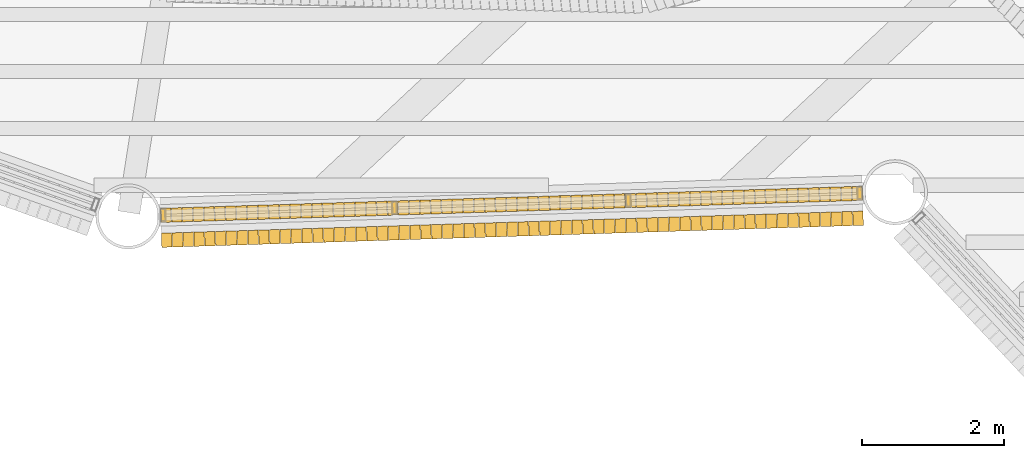
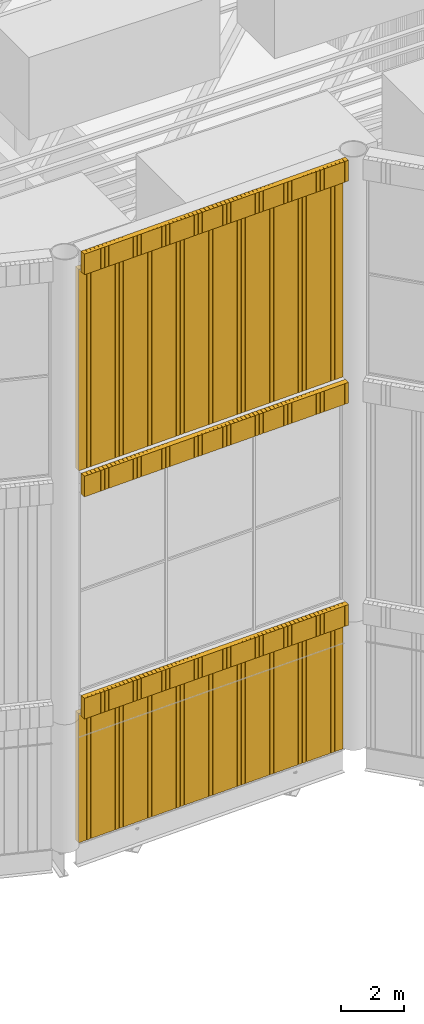
# One storey, part 93 of 117: 5 coverings.
"""IFC4 building model written with IfcOpenShell, lengths in metres."""

from ifc_helpers import new_model, si_unit, direction, frame, frame_2d, origin, place, context, subcontext, project, spatial, rectangle, composite_profile, extrude, material, type_object, element, save


model = new_model("IFC4")

# Units and contexts
model_context = context("Model", 3, precision=1e-05, world=origin(), true_north=direction((0.0, 1.0)))
body_context = subcontext(model_context, "Body", "Model", "MODEL_VIEW")
ifc_project = project(units=[si_unit("LENGTHUNIT", "METRE"), si_unit("AREAUNIT", "SQUARE_METRE"), si_unit("VOLUMEUNIT", "CUBIC_METRE"), si_unit("PLANEANGLEUNIT", "RADIAN"), si_unit("MASSUNIT", "GRAM", prefix="KILO")], contexts=[model_context])

# Site, building, storey
site_placement = place(None, origin())
site = spatial("IfcSite", under=ifc_project, at=site_placement, CompositionType="ELEMENT")
building_placement = place(site_placement, origin())
building = spatial("IfcBuilding", under=site, at=building_placement, Name="Tarsis Ring Headquarters", CompositionType="ELEMENT")
storey_placement = place(building_placement, frame((0.0, 0.0, 403.60009765625)))
storey = spatial("IfcBuildingStorey", under=building, at=storey_placement, Name="L95", CompositionType="ELEMENT", Elevation=403.60009765625)

# Coverings
ifc_material = material(Name="Terracotta louvre", Category="masonry")
covering_type = type_object("IfcCoveringType", Name="Crown louvre fin", PredefinedType="CLADDING", material=ifc_material)
covering_1_placement = place(storey_placement, frame((-4.02734375, -28.68603515625, 0.0), z_axis=(0.0, 0.0, 1.0), x_axis=(0.999504668499, 0.031503083439, 0.0)))
element("IfcCovering", 1, at=covering_1_placement, inside=storey, type_object=covering_type, Name="Crown louvre base 1", PredefinedType="CLADDING", context=body_context, shape_type="SweptSolid", body=[
    extrude(composite_profile([rectangle(XDim=0.14501953125, YDim=0.199951171875, at=frame_2d((0.072509765625, 0.0))), rectangle(XDim=0.14501953125, YDim=0.199951171875, at=frame_2d((0.224365234375, 0.0))), rectangle(XDim=0.14501953125, YDim=0.199951171875, at=frame_2d((0.3759765625, 0.0))), rectangle(XDim=0.14501953125, YDim=0.199951171875, at=frame_2d((0.52783203125, 0.0))), rectangle(XDim=0.14501953125, YDim=0.199951171875, at=frame_2d((0.679443359375, 0.0))), rectangle(XDim=0.14501953125, YDim=0.199951171875, at=frame_2d((0.831298828125, 0.0))), rectangle(XDim=0.14501953125, YDim=0.199951171875, at=frame_2d((0.983154296875, 0.0))), rectangle(XDim=0.14501953125, YDim=0.199951171875, at=frame_2d((1.134765625, 0.0))), rectangle(XDim=0.14501953125, YDim=0.199951171875, at=frame_2d((1.28662109375, 0.0))), rectangle(XDim=0.14501953125, YDim=0.199951171875, at=frame_2d((1.438232421875, 0.0))), rectangle(XDim=0.14501953125, YDim=0.199951171875, at=frame_2d((1.590087890625, 0.0))), rectangle(XDim=0.14501953125, YDim=0.199951171875, at=frame_2d((1.741943359375, 0.0))), rectangle(XDim=0.14501953125, YDim=0.199951171875, at=frame_2d((1.8935546875, 0.0))), rectangle(XDim=0.14501953125, YDim=0.199951171875, at=frame_2d((2.04541015625, 0.0))), rectangle(XDim=0.14501953125, YDim=0.199951171875, at=frame_2d((2.197265625, 0.0))), rectangle(XDim=0.14501953125, YDim=0.199951171875, at=frame_2d((2.348876953125, 0.0))), rectangle(XDim=0.14501953125, YDim=0.199951171875, at=frame_2d((2.500732421875, 0.0))), rectangle(XDim=0.14501953125, YDim=0.199951171875, at=frame_2d((2.65234375, 0.0))), rectangle(XDim=0.14501953125, YDim=0.199951171875, at=frame_2d((2.80419921875, 0.0))), rectangle(XDim=0.14501953125, YDim=0.199951171875, at=frame_2d((2.9560546875, 0.0))), rectangle(XDim=0.14501953125, YDim=0.199951171875, at=frame_2d((3.107666015625, 0.0))), rectangle(XDim=0.14501953125, YDim=0.199951171875, at=frame_2d((3.259521484375, 0.0))), rectangle(XDim=0.14501953125, YDim=0.199951171875, at=frame_2d((3.4111328125, 0.0))), rectangle(XDim=0.14501953125, YDim=0.199951171875, at=frame_2d((3.56298828125, 0.0))), rectangle(XDim=0.14501953125, YDim=0.199951171875, at=frame_2d((3.71484375, 0.0))), rectangle(XDim=0.14501953125, YDim=0.199951171875, at=frame_2d((3.866455078125, 0.0))), rectangle(XDim=0.14501953125, YDim=0.199951171875, at=frame_2d((4.018310546875, 0.0))), rectangle(XDim=0.14501953125, YDim=0.199951171875, at=frame_2d((4.169921875, 0.0))), rectangle(XDim=0.14501953125, YDim=0.199951171875, at=frame_2d((4.32177734375, 0.0))), rectangle(XDim=0.14501953125, YDim=0.199951171875, at=frame_2d((4.4736328125, 0.0))), rectangle(XDim=0.14501953125, YDim=0.199951171875, at=frame_2d((4.625244140625, 0.0))), rectangle(XDim=0.14501953125, YDim=0.199951171875, at=frame_2d((4.777099609375, 0.0))), rectangle(XDim=0.14501953125, YDim=0.199951171875, at=frame_2d((4.9287109375, 0.0))), rectangle(XDim=0.14501953125, YDim=0.199951171875, at=frame_2d((5.08056640625, 0.0))), rectangle(XDim=0.14501953125, YDim=0.199951171875, at=frame_2d((5.232421875, 0.0))), rectangle(XDim=0.14501953125, YDim=0.199951171875, at=frame_2d((5.384033203125, 0.0))), rectangle(XDim=0.14501953125, YDim=0.199951171875, at=frame_2d((5.535888671875, 0.0))), rectangle(XDim=0.14501953125, YDim=0.199951171875, at=frame_2d((5.687744140625, 0.0))), rectangle(XDim=0.14501953125, YDim=0.199951171875, at=frame_2d((5.83935546875, 0.0))), rectangle(XDim=0.14501953125, YDim=0.199951171875, at=frame_2d((5.9912109375, 0.0))), rectangle(XDim=0.14501953125, YDim=0.199951171875, at=frame_2d((6.142822265625, 0.0))), rectangle(XDim=0.14501953125, YDim=0.199951171875, at=frame_2d((6.294677734375, 0.0))), rectangle(XDim=0.14501953125, YDim=0.199951171875, at=frame_2d((6.446533203125, 0.0))), rectangle(XDim=0.14501953125, YDim=0.199951171875, at=frame_2d((6.59814453125, 0.0))), rectangle(XDim=0.14501953125, YDim=0.199951171875, at=frame_2d((6.75, 0.0))), rectangle(XDim=0.14501953125, YDim=0.199951171875, at=frame_2d((6.901611328125, 0.0))), rectangle(XDim=0.14501953125, YDim=0.199951171875, at=frame_2d((7.053466796875, 0.0))), rectangle(XDim=0.14501953125, YDim=0.199951171875, at=frame_2d((7.205322265625, 0.0))), rectangle(XDim=0.14501953125, YDim=0.199951171875, at=frame_2d((7.35693359375, 0.0))), rectangle(XDim=0.14501953125, YDim=0.199951171875, at=frame_2d((7.5087890625, 0.0))), rectangle(XDim=0.14501953125, YDim=0.199951171875, at=frame_2d((7.660400390625, 0.0))), rectangle(XDim=0.14501953125, YDim=0.199951171875, at=frame_2d((7.812255859375, 0.0))), rectangle(XDim=0.14501953125, YDim=0.199951171875, at=frame_2d((7.964111328125, 0.0))), rectangle(XDim=0.14501953125, YDim=0.199951171875, at=frame_2d((8.11572265625, 0.0))), rectangle(XDim=0.14501953125, YDim=0.199951171875, at=frame_2d((8.267578125, 0.0))), rectangle(XDim=0.14501953125, YDim=0.199951171875, at=frame_2d((8.41943359375, 0.0))), rectangle(XDim=0.14501953125, YDim=0.199951171875, at=frame_2d((8.571044921875, 0.0))), rectangle(XDim=0.14501953125, YDim=0.199951171875, at=frame_2d((8.722900390625, 0.0))), rectangle(XDim=0.14501953125, YDim=0.199951171875, at=frame_2d((8.87451171875, 0.0))), rectangle(XDim=0.14501953125, YDim=0.199951171875, at=frame_2d((9.0263671875, 0.0))), rectangle(XDim=0.14501953125, YDim=0.199951171875, at=frame_2d((9.17822265625, 0.0))), rectangle(XDim=0.14501953125, YDim=0.199951171875, at=frame_2d((9.329833984375, 0.0))), rectangle(XDim=0.14501953125, YDim=0.199951171875, at=frame_2d((9.481689453125, 0.0))), rectangle(XDim=0.14501953125, YDim=0.199951171875, at=frame_2d((9.63330078125, 0.0))), rectangle(XDim=0.14501953125, YDim=0.199951171875, at=frame_2d((9.78515625, 0.0)))]), origin(), (0.0, 0.0, 1.0), 5.0),
])
covering_2_placement = place(storey_placement, frame((-4.016357421875, -29.03564453125, 5.0), z_axis=(0.0, 0.0, 1.0), x_axis=(0.999504668499, 0.031478316864, 0.0)))
element("IfcCovering", 2, at=covering_2_placement, inside=storey, type_object=covering_type, Name="Crown louvre fascia R1", PredefinedType="CLADDING", context=body_context, shape_type="SweptSolid", body=[
    extrude(composite_profile([rectangle(XDim=0.14501953125, YDim=0.199951171875, at=frame_2d((0.072509765625, 0.0))), rectangle(XDim=0.14501953125, YDim=0.199951171875, at=frame_2d((0.224365234375, 0.0))), rectangle(XDim=0.14501953125, YDim=0.199951171875, at=frame_2d((0.3759765625, 0.0))), rectangle(XDim=0.14501953125, YDim=0.199951171875, at=frame_2d((0.52783203125, 0.0))), rectangle(XDim=0.14501953125, YDim=0.199951171875, at=frame_2d((0.679443359375, 0.0))), rectangle(XDim=0.14501953125, YDim=0.199951171875, at=frame_2d((0.831298828125, 0.0))), rectangle(XDim=0.14501953125, YDim=0.199951171875, at=frame_2d((0.983154296875, 0.0))), rectangle(XDim=0.14501953125, YDim=0.199951171875, at=frame_2d((1.134765625, 0.0))), rectangle(XDim=0.14501953125, YDim=0.199951171875, at=frame_2d((1.28662109375, 0.0))), rectangle(XDim=0.14501953125, YDim=0.199951171875, at=frame_2d((1.438232421875, 0.0))), rectangle(XDim=0.14501953125, YDim=0.199951171875, at=frame_2d((1.590087890625, 0.0))), rectangle(XDim=0.14501953125, YDim=0.199951171875, at=frame_2d((1.741943359375, 0.0))), rectangle(XDim=0.14501953125, YDim=0.199951171875, at=frame_2d((1.8935546875, 0.0))), rectangle(XDim=0.14501953125, YDim=0.199951171875, at=frame_2d((2.04541015625, 0.0))), rectangle(XDim=0.14501953125, YDim=0.199951171875, at=frame_2d((2.197265625, 0.0))), rectangle(XDim=0.14501953125, YDim=0.199951171875, at=frame_2d((2.348876953125, 0.0))), rectangle(XDim=0.14501953125, YDim=0.199951171875, at=frame_2d((2.500732421875, 0.0))), rectangle(XDim=0.14501953125, YDim=0.199951171875, at=frame_2d((2.65234375, 0.0))), rectangle(XDim=0.14501953125, YDim=0.199951171875, at=frame_2d((2.80419921875, 0.0))), rectangle(XDim=0.14501953125, YDim=0.199951171875, at=frame_2d((2.9560546875, 0.0))), rectangle(XDim=0.14501953125, YDim=0.199951171875, at=frame_2d((3.107666015625, 0.0))), rectangle(XDim=0.14501953125, YDim=0.199951171875, at=frame_2d((3.259521484375, 0.0))), rectangle(XDim=0.14501953125, YDim=0.199951171875, at=frame_2d((3.4111328125, 0.0))), rectangle(XDim=0.14501953125, YDim=0.199951171875, at=frame_2d((3.56298828125, 0.0))), rectangle(XDim=0.14501953125, YDim=0.199951171875, at=frame_2d((3.71484375, 0.0))), rectangle(XDim=0.14501953125, YDim=0.199951171875, at=frame_2d((3.866455078125, 0.0))), rectangle(XDim=0.14501953125, YDim=0.199951171875, at=frame_2d((4.018310546875, 0.0))), rectangle(XDim=0.14501953125, YDim=0.199951171875, at=frame_2d((4.169921875, 0.0))), rectangle(XDim=0.14501953125, YDim=0.199951171875, at=frame_2d((4.32177734375, 0.0))), rectangle(XDim=0.14501953125, YDim=0.199951171875, at=frame_2d((4.4736328125, 0.0))), rectangle(XDim=0.14501953125, YDim=0.199951171875, at=frame_2d((4.625244140625, 0.0))), rectangle(XDim=0.14501953125, YDim=0.199951171875, at=frame_2d((4.777099609375, 0.0))), rectangle(XDim=0.14501953125, YDim=0.199951171875, at=frame_2d((4.9287109375, 0.0))), rectangle(XDim=0.14501953125, YDim=0.199951171875, at=frame_2d((5.08056640625, 0.0))), rectangle(XDim=0.14501953125, YDim=0.199951171875, at=frame_2d((5.232421875, 0.0))), rectangle(XDim=0.14501953125, YDim=0.199951171875, at=frame_2d((5.384033203125, 0.0))), rectangle(XDim=0.14501953125, YDim=0.199951171875, at=frame_2d((5.535888671875, 0.0))), rectangle(XDim=0.14501953125, YDim=0.199951171875, at=frame_2d((5.687744140625, 0.0))), rectangle(XDim=0.14501953125, YDim=0.199951171875, at=frame_2d((5.83935546875, 0.0))), rectangle(XDim=0.14501953125, YDim=0.199951171875, at=frame_2d((5.9912109375, 0.0))), rectangle(XDim=0.14501953125, YDim=0.199951171875, at=frame_2d((6.142822265625, 0.0))), rectangle(XDim=0.14501953125, YDim=0.199951171875, at=frame_2d((6.294677734375, 0.0))), rectangle(XDim=0.14501953125, YDim=0.199951171875, at=frame_2d((6.446533203125, 0.0))), rectangle(XDim=0.14501953125, YDim=0.199951171875, at=frame_2d((6.59814453125, 0.0))), rectangle(XDim=0.14501953125, YDim=0.199951171875, at=frame_2d((6.75, 0.0))), rectangle(XDim=0.14501953125, YDim=0.199951171875, at=frame_2d((6.901611328125, 0.0))), rectangle(XDim=0.14501953125, YDim=0.199951171875, at=frame_2d((7.053466796875, 0.0))), rectangle(XDim=0.14501953125, YDim=0.199951171875, at=frame_2d((7.205322265625, 0.0))), rectangle(XDim=0.14501953125, YDim=0.199951171875, at=frame_2d((7.35693359375, 0.0))), rectangle(XDim=0.14501953125, YDim=0.199951171875, at=frame_2d((7.5087890625, 0.0))), rectangle(XDim=0.14501953125, YDim=0.199951171875, at=frame_2d((7.660400390625, 0.0))), rectangle(XDim=0.14501953125, YDim=0.199951171875, at=frame_2d((7.812255859375, 0.0))), rectangle(XDim=0.14501953125, YDim=0.199951171875, at=frame_2d((7.964111328125, 0.0))), rectangle(XDim=0.14501953125, YDim=0.199951171875, at=frame_2d((8.11572265625, 0.0))), rectangle(XDim=0.14501953125, YDim=0.199951171875, at=frame_2d((8.267578125, 0.0))), rectangle(XDim=0.14501953125, YDim=0.199951171875, at=frame_2d((8.41943359375, 0.0))), rectangle(XDim=0.14501953125, YDim=0.199951171875, at=frame_2d((8.571044921875, 0.0))), rectangle(XDim=0.14501953125, YDim=0.199951171875, at=frame_2d((8.722900390625, 0.0))), rectangle(XDim=0.14501953125, YDim=0.199951171875, at=frame_2d((8.87451171875, 0.0))), rectangle(XDim=0.14501953125, YDim=0.199951171875, at=frame_2d((9.0263671875, 0.0))), rectangle(XDim=0.14501953125, YDim=0.199951171875, at=frame_2d((9.17822265625, 0.0))), rectangle(XDim=0.14501953125, YDim=0.199951171875, at=frame_2d((9.329833984375, 0.0))), rectangle(XDim=0.14501953125, YDim=0.199951171875, at=frame_2d((9.481689453125, 0.0))), rectangle(XDim=0.14501953125, YDim=0.199951171875, at=frame_2d((9.63330078125, 0.0))), rectangle(XDim=0.14501953125, YDim=0.199951171875, at=frame_2d((9.78515625, 0.0)))]), origin(), (0.0, 0.0, 1.0), 0.7998046875),
])
covering_3_placement = place(storey_placement, frame((-4.016357421875, -29.03564453125, 13.599853515625), z_axis=(0.0, 0.0, 1.0), x_axis=(0.999504668499, 0.031478316864, 0.0)))
element("IfcCovering", 3, at=covering_3_placement, inside=storey, type_object=covering_type, Name="Crown louvre fascia M1", PredefinedType="CLADDING", context=body_context, shape_type="SweptSolid", body=[
    extrude(composite_profile([rectangle(XDim=0.14501953125, YDim=0.199951171875, at=frame_2d((0.072509765625, 0.0))), rectangle(XDim=0.14501953125, YDim=0.199951171875, at=frame_2d((0.224365234375, 0.0))), rectangle(XDim=0.14501953125, YDim=0.199951171875, at=frame_2d((0.3759765625, 0.0))), rectangle(XDim=0.14501953125, YDim=0.199951171875, at=frame_2d((0.52783203125, 0.0))), rectangle(XDim=0.14501953125, YDim=0.199951171875, at=frame_2d((0.679443359375, 0.0))), rectangle(XDim=0.14501953125, YDim=0.199951171875, at=frame_2d((0.831298828125, 0.0))), rectangle(XDim=0.14501953125, YDim=0.199951171875, at=frame_2d((0.983154296875, 0.0))), rectangle(XDim=0.14501953125, YDim=0.199951171875, at=frame_2d((1.134765625, 0.0))), rectangle(XDim=0.14501953125, YDim=0.199951171875, at=frame_2d((1.28662109375, 0.0))), rectangle(XDim=0.14501953125, YDim=0.199951171875, at=frame_2d((1.438232421875, 0.0))), rectangle(XDim=0.14501953125, YDim=0.199951171875, at=frame_2d((1.590087890625, 0.0))), rectangle(XDim=0.14501953125, YDim=0.199951171875, at=frame_2d((1.741943359375, 0.0))), rectangle(XDim=0.14501953125, YDim=0.199951171875, at=frame_2d((1.8935546875, 0.0))), rectangle(XDim=0.14501953125, YDim=0.199951171875, at=frame_2d((2.04541015625, 0.0))), rectangle(XDim=0.14501953125, YDim=0.199951171875, at=frame_2d((2.197265625, 0.0))), rectangle(XDim=0.14501953125, YDim=0.199951171875, at=frame_2d((2.348876953125, 0.0))), rectangle(XDim=0.14501953125, YDim=0.199951171875, at=frame_2d((2.500732421875, 0.0))), rectangle(XDim=0.14501953125, YDim=0.199951171875, at=frame_2d((2.65234375, 0.0))), rectangle(XDim=0.14501953125, YDim=0.199951171875, at=frame_2d((2.80419921875, 0.0))), rectangle(XDim=0.14501953125, YDim=0.199951171875, at=frame_2d((2.9560546875, 0.0))), rectangle(XDim=0.14501953125, YDim=0.199951171875, at=frame_2d((3.107666015625, 0.0))), rectangle(XDim=0.14501953125, YDim=0.199951171875, at=frame_2d((3.259521484375, 0.0))), rectangle(XDim=0.14501953125, YDim=0.199951171875, at=frame_2d((3.4111328125, 0.0))), rectangle(XDim=0.14501953125, YDim=0.199951171875, at=frame_2d((3.56298828125, 0.0))), rectangle(XDim=0.14501953125, YDim=0.199951171875, at=frame_2d((3.71484375, 0.0))), rectangle(XDim=0.14501953125, YDim=0.199951171875, at=frame_2d((3.866455078125, 0.0))), rectangle(XDim=0.14501953125, YDim=0.199951171875, at=frame_2d((4.018310546875, 0.0))), rectangle(XDim=0.14501953125, YDim=0.199951171875, at=frame_2d((4.169921875, 0.0))), rectangle(XDim=0.14501953125, YDim=0.199951171875, at=frame_2d((4.32177734375, 0.0))), rectangle(XDim=0.14501953125, YDim=0.199951171875, at=frame_2d((4.4736328125, 0.0))), rectangle(XDim=0.14501953125, YDim=0.199951171875, at=frame_2d((4.625244140625, 0.0))), rectangle(XDim=0.14501953125, YDim=0.199951171875, at=frame_2d((4.777099609375, 0.0))), rectangle(XDim=0.14501953125, YDim=0.199951171875, at=frame_2d((4.9287109375, 0.0))), rectangle(XDim=0.14501953125, YDim=0.199951171875, at=frame_2d((5.08056640625, 0.0))), rectangle(XDim=0.14501953125, YDim=0.199951171875, at=frame_2d((5.232421875, 0.0))), rectangle(XDim=0.14501953125, YDim=0.199951171875, at=frame_2d((5.384033203125, 0.0))), rectangle(XDim=0.14501953125, YDim=0.199951171875, at=frame_2d((5.535888671875, 0.0))), rectangle(XDim=0.14501953125, YDim=0.199951171875, at=frame_2d((5.687744140625, 0.0))), rectangle(XDim=0.14501953125, YDim=0.199951171875, at=frame_2d((5.83935546875, 0.0))), rectangle(XDim=0.14501953125, YDim=0.199951171875, at=frame_2d((5.9912109375, 0.0))), rectangle(XDim=0.14501953125, YDim=0.199951171875, at=frame_2d((6.142822265625, 0.0))), rectangle(XDim=0.14501953125, YDim=0.199951171875, at=frame_2d((6.294677734375, 0.0))), rectangle(XDim=0.14501953125, YDim=0.199951171875, at=frame_2d((6.446533203125, 0.0))), rectangle(XDim=0.14501953125, YDim=0.199951171875, at=frame_2d((6.59814453125, 0.0))), rectangle(XDim=0.14501953125, YDim=0.199951171875, at=frame_2d((6.75, 0.0))), rectangle(XDim=0.14501953125, YDim=0.199951171875, at=frame_2d((6.901611328125, 0.0))), rectangle(XDim=0.14501953125, YDim=0.199951171875, at=frame_2d((7.053466796875, 0.0))), rectangle(XDim=0.14501953125, YDim=0.199951171875, at=frame_2d((7.205322265625, 0.0))), rectangle(XDim=0.14501953125, YDim=0.199951171875, at=frame_2d((7.35693359375, 0.0))), rectangle(XDim=0.14501953125, YDim=0.199951171875, at=frame_2d((7.5087890625, 0.0))), rectangle(XDim=0.14501953125, YDim=0.199951171875, at=frame_2d((7.660400390625, 0.0))), rectangle(XDim=0.14501953125, YDim=0.199951171875, at=frame_2d((7.812255859375, 0.0))), rectangle(XDim=0.14501953125, YDim=0.199951171875, at=frame_2d((7.964111328125, 0.0))), rectangle(XDim=0.14501953125, YDim=0.199951171875, at=frame_2d((8.11572265625, 0.0))), rectangle(XDim=0.14501953125, YDim=0.199951171875, at=frame_2d((8.267578125, 0.0))), rectangle(XDim=0.14501953125, YDim=0.199951171875, at=frame_2d((8.41943359375, 0.0))), rectangle(XDim=0.14501953125, YDim=0.199951171875, at=frame_2d((8.571044921875, 0.0))), rectangle(XDim=0.14501953125, YDim=0.199951171875, at=frame_2d((8.722900390625, 0.0))), rectangle(XDim=0.14501953125, YDim=0.199951171875, at=frame_2d((8.87451171875, 0.0))), rectangle(XDim=0.14501953125, YDim=0.199951171875, at=frame_2d((9.0263671875, 0.0))), rectangle(XDim=0.14501953125, YDim=0.199951171875, at=frame_2d((9.17822265625, 0.0))), rectangle(XDim=0.14501953125, YDim=0.199951171875, at=frame_2d((9.329833984375, 0.0))), rectangle(XDim=0.14501953125, YDim=0.199951171875, at=frame_2d((9.481689453125, 0.0))), rectangle(XDim=0.14501953125, YDim=0.199951171875, at=frame_2d((9.63330078125, 0.0))), rectangle(XDim=0.14501953125, YDim=0.199951171875, at=frame_2d((9.78515625, 0.0)))]), origin(), (0.0, 0.0, 1.0), 0.800048828125),
])
covering_4_placement = place(storey_placement, frame((-4.016357421875, -29.03564453125, 22.199951171875), z_axis=(0.0, 0.0, 1.0), x_axis=(0.999504668499, 0.031478316864, 0.0)))
element("IfcCovering", 4, at=covering_4_placement, inside=storey, type_object=covering_type, Name="Crown louvre fascia T1", PredefinedType="CLADDING", context=body_context, shape_type="SweptSolid", body=[
    extrude(composite_profile([rectangle(XDim=0.14501953125, YDim=0.199951171875, at=frame_2d((0.072509765625, 0.0))), rectangle(XDim=0.14501953125, YDim=0.199951171875, at=frame_2d((0.224365234375, 0.0))), rectangle(XDim=0.14501953125, YDim=0.199951171875, at=frame_2d((0.3759765625, 0.0))), rectangle(XDim=0.14501953125, YDim=0.199951171875, at=frame_2d((0.52783203125, 0.0))), rectangle(XDim=0.14501953125, YDim=0.199951171875, at=frame_2d((0.679443359375, 0.0))), rectangle(XDim=0.14501953125, YDim=0.199951171875, at=frame_2d((0.831298828125, 0.0))), rectangle(XDim=0.14501953125, YDim=0.199951171875, at=frame_2d((0.983154296875, 0.0))), rectangle(XDim=0.14501953125, YDim=0.199951171875, at=frame_2d((1.134765625, 0.0))), rectangle(XDim=0.14501953125, YDim=0.199951171875, at=frame_2d((1.28662109375, 0.0))), rectangle(XDim=0.14501953125, YDim=0.199951171875, at=frame_2d((1.438232421875, 0.0))), rectangle(XDim=0.14501953125, YDim=0.199951171875, at=frame_2d((1.590087890625, 0.0))), rectangle(XDim=0.14501953125, YDim=0.199951171875, at=frame_2d((1.741943359375, 0.0))), rectangle(XDim=0.14501953125, YDim=0.199951171875, at=frame_2d((1.8935546875, 0.0))), rectangle(XDim=0.14501953125, YDim=0.199951171875, at=frame_2d((2.04541015625, 0.0))), rectangle(XDim=0.14501953125, YDim=0.199951171875, at=frame_2d((2.197265625, 0.0))), rectangle(XDim=0.14501953125, YDim=0.199951171875, at=frame_2d((2.348876953125, 0.0))), rectangle(XDim=0.14501953125, YDim=0.199951171875, at=frame_2d((2.500732421875, 0.0))), rectangle(XDim=0.14501953125, YDim=0.199951171875, at=frame_2d((2.65234375, 0.0))), rectangle(XDim=0.14501953125, YDim=0.199951171875, at=frame_2d((2.80419921875, 0.0))), rectangle(XDim=0.14501953125, YDim=0.199951171875, at=frame_2d((2.9560546875, 0.0))), rectangle(XDim=0.14501953125, YDim=0.199951171875, at=frame_2d((3.107666015625, 0.0))), rectangle(XDim=0.14501953125, YDim=0.199951171875, at=frame_2d((3.259521484375, 0.0))), rectangle(XDim=0.14501953125, YDim=0.199951171875, at=frame_2d((3.4111328125, 0.0))), rectangle(XDim=0.14501953125, YDim=0.199951171875, at=frame_2d((3.56298828125, 0.0))), rectangle(XDim=0.14501953125, YDim=0.199951171875, at=frame_2d((3.71484375, 0.0))), rectangle(XDim=0.14501953125, YDim=0.199951171875, at=frame_2d((3.866455078125, 0.0))), rectangle(XDim=0.14501953125, YDim=0.199951171875, at=frame_2d((4.018310546875, 0.0))), rectangle(XDim=0.14501953125, YDim=0.199951171875, at=frame_2d((4.169921875, 0.0))), rectangle(XDim=0.14501953125, YDim=0.199951171875, at=frame_2d((4.32177734375, 0.0))), rectangle(XDim=0.14501953125, YDim=0.199951171875, at=frame_2d((4.4736328125, 0.0))), rectangle(XDim=0.14501953125, YDim=0.199951171875, at=frame_2d((4.625244140625, 0.0))), rectangle(XDim=0.14501953125, YDim=0.199951171875, at=frame_2d((4.777099609375, 0.0))), rectangle(XDim=0.14501953125, YDim=0.199951171875, at=frame_2d((4.9287109375, 0.0))), rectangle(XDim=0.14501953125, YDim=0.199951171875, at=frame_2d((5.08056640625, 0.0))), rectangle(XDim=0.14501953125, YDim=0.199951171875, at=frame_2d((5.232421875, 0.0))), rectangle(XDim=0.14501953125, YDim=0.199951171875, at=frame_2d((5.384033203125, 0.0))), rectangle(XDim=0.14501953125, YDim=0.199951171875, at=frame_2d((5.535888671875, 0.0))), rectangle(XDim=0.14501953125, YDim=0.199951171875, at=frame_2d((5.687744140625, 0.0))), rectangle(XDim=0.14501953125, YDim=0.199951171875, at=frame_2d((5.83935546875, 0.0))), rectangle(XDim=0.14501953125, YDim=0.199951171875, at=frame_2d((5.9912109375, 0.0))), rectangle(XDim=0.14501953125, YDim=0.199951171875, at=frame_2d((6.142822265625, 0.0))), rectangle(XDim=0.14501953125, YDim=0.199951171875, at=frame_2d((6.294677734375, 0.0))), rectangle(XDim=0.14501953125, YDim=0.199951171875, at=frame_2d((6.446533203125, 0.0))), rectangle(XDim=0.14501953125, YDim=0.199951171875, at=frame_2d((6.59814453125, 0.0))), rectangle(XDim=0.14501953125, YDim=0.199951171875, at=frame_2d((6.75, 0.0))), rectangle(XDim=0.14501953125, YDim=0.199951171875, at=frame_2d((6.901611328125, 0.0))), rectangle(XDim=0.14501953125, YDim=0.199951171875, at=frame_2d((7.053466796875, 0.0))), rectangle(XDim=0.14501953125, YDim=0.199951171875, at=frame_2d((7.205322265625, 0.0))), rectangle(XDim=0.14501953125, YDim=0.199951171875, at=frame_2d((7.35693359375, 0.0))), rectangle(XDim=0.14501953125, YDim=0.199951171875, at=frame_2d((7.5087890625, 0.0))), rectangle(XDim=0.14501953125, YDim=0.199951171875, at=frame_2d((7.660400390625, 0.0))), rectangle(XDim=0.14501953125, YDim=0.199951171875, at=frame_2d((7.812255859375, 0.0))), rectangle(XDim=0.14501953125, YDim=0.199951171875, at=frame_2d((7.964111328125, 0.0))), rectangle(XDim=0.14501953125, YDim=0.199951171875, at=frame_2d((8.11572265625, 0.0))), rectangle(XDim=0.14501953125, YDim=0.199951171875, at=frame_2d((8.267578125, 0.0))), rectangle(XDim=0.14501953125, YDim=0.199951171875, at=frame_2d((8.41943359375, 0.0))), rectangle(XDim=0.14501953125, YDim=0.199951171875, at=frame_2d((8.571044921875, 0.0))), rectangle(XDim=0.14501953125, YDim=0.199951171875, at=frame_2d((8.722900390625, 0.0))), rectangle(XDim=0.14501953125, YDim=0.199951171875, at=frame_2d((8.87451171875, 0.0))), rectangle(XDim=0.14501953125, YDim=0.199951171875, at=frame_2d((9.0263671875, 0.0))), rectangle(XDim=0.14501953125, YDim=0.199951171875, at=frame_2d((9.17822265625, 0.0))), rectangle(XDim=0.14501953125, YDim=0.199951171875, at=frame_2d((9.329833984375, 0.0))), rectangle(XDim=0.14501953125, YDim=0.199951171875, at=frame_2d((9.481689453125, 0.0))), rectangle(XDim=0.14501953125, YDim=0.199951171875, at=frame_2d((9.63330078125, 0.0))), rectangle(XDim=0.14501953125, YDim=0.199951171875, at=frame_2d((9.78515625, 0.0)))]), origin(), (0.0, 0.0, 1.0), 0.800048828125),
])
covering_5_placement = place(storey_placement, frame((-4.02734375, -28.68603515625, 14.39990234375), z_axis=(0.0, 0.0, 1.0), x_axis=(0.999504668499, 0.031503083439, 0.0)))
element("IfcCovering", 5, at=covering_5_placement, inside=storey, type_object=covering_type, Name="Crown louvre U1", PredefinedType="CLADDING", context=body_context, shape_type="SweptSolid", body=[
    extrude(composite_profile([rectangle(XDim=0.14501953125, YDim=0.199951171875, at=frame_2d((0.072509765625, 0.0))), rectangle(XDim=0.14501953125, YDim=0.199951171875, at=frame_2d((0.224365234375, 0.0))), rectangle(XDim=0.14501953125, YDim=0.199951171875, at=frame_2d((0.3759765625, 0.0))), rectangle(XDim=0.14501953125, YDim=0.199951171875, at=frame_2d((0.52783203125, 0.0))), rectangle(XDim=0.14501953125, YDim=0.199951171875, at=frame_2d((0.679443359375, 0.0))), rectangle(XDim=0.14501953125, YDim=0.199951171875, at=frame_2d((0.831298828125, 0.0))), rectangle(XDim=0.14501953125, YDim=0.199951171875, at=frame_2d((0.983154296875, 0.0))), rectangle(XDim=0.14501953125, YDim=0.199951171875, at=frame_2d((1.134765625, 0.0))), rectangle(XDim=0.14501953125, YDim=0.199951171875, at=frame_2d((1.28662109375, 0.0))), rectangle(XDim=0.14501953125, YDim=0.199951171875, at=frame_2d((1.438232421875, 0.0))), rectangle(XDim=0.14501953125, YDim=0.199951171875, at=frame_2d((1.590087890625, 0.0))), rectangle(XDim=0.14501953125, YDim=0.199951171875, at=frame_2d((1.741943359375, 0.0))), rectangle(XDim=0.14501953125, YDim=0.199951171875, at=frame_2d((1.8935546875, 0.0))), rectangle(XDim=0.14501953125, YDim=0.199951171875, at=frame_2d((2.04541015625, 0.0))), rectangle(XDim=0.14501953125, YDim=0.199951171875, at=frame_2d((2.197265625, 0.0))), rectangle(XDim=0.14501953125, YDim=0.199951171875, at=frame_2d((2.348876953125, 0.0))), rectangle(XDim=0.14501953125, YDim=0.199951171875, at=frame_2d((2.500732421875, 0.0))), rectangle(XDim=0.14501953125, YDim=0.199951171875, at=frame_2d((2.65234375, 0.0))), rectangle(XDim=0.14501953125, YDim=0.199951171875, at=frame_2d((2.80419921875, 0.0))), rectangle(XDim=0.14501953125, YDim=0.199951171875, at=frame_2d((2.9560546875, 0.0))), rectangle(XDim=0.14501953125, YDim=0.199951171875, at=frame_2d((3.107666015625, 0.0))), rectangle(XDim=0.14501953125, YDim=0.199951171875, at=frame_2d((3.259521484375, 0.0))), rectangle(XDim=0.14501953125, YDim=0.199951171875, at=frame_2d((3.4111328125, 0.0))), rectangle(XDim=0.14501953125, YDim=0.199951171875, at=frame_2d((3.56298828125, 0.0))), rectangle(XDim=0.14501953125, YDim=0.199951171875, at=frame_2d((3.71484375, 0.0))), rectangle(XDim=0.14501953125, YDim=0.199951171875, at=frame_2d((3.866455078125, 0.0))), rectangle(XDim=0.14501953125, YDim=0.199951171875, at=frame_2d((4.018310546875, 0.0))), rectangle(XDim=0.14501953125, YDim=0.199951171875, at=frame_2d((4.169921875, 0.0))), rectangle(XDim=0.14501953125, YDim=0.199951171875, at=frame_2d((4.32177734375, 0.0))), rectangle(XDim=0.14501953125, YDim=0.199951171875, at=frame_2d((4.4736328125, 0.0))), rectangle(XDim=0.14501953125, YDim=0.199951171875, at=frame_2d((4.625244140625, 0.0))), rectangle(XDim=0.14501953125, YDim=0.199951171875, at=frame_2d((4.777099609375, 0.0))), rectangle(XDim=0.14501953125, YDim=0.199951171875, at=frame_2d((4.9287109375, 0.0))), rectangle(XDim=0.14501953125, YDim=0.199951171875, at=frame_2d((5.08056640625, 0.0))), rectangle(XDim=0.14501953125, YDim=0.199951171875, at=frame_2d((5.232421875, 0.0))), rectangle(XDim=0.14501953125, YDim=0.199951171875, at=frame_2d((5.384033203125, 0.0))), rectangle(XDim=0.14501953125, YDim=0.199951171875, at=frame_2d((5.535888671875, 0.0))), rectangle(XDim=0.14501953125, YDim=0.199951171875, at=frame_2d((5.687744140625, 0.0))), rectangle(XDim=0.14501953125, YDim=0.199951171875, at=frame_2d((5.83935546875, 0.0))), rectangle(XDim=0.14501953125, YDim=0.199951171875, at=frame_2d((5.9912109375, 0.0))), rectangle(XDim=0.14501953125, YDim=0.199951171875, at=frame_2d((6.142822265625, 0.0))), rectangle(XDim=0.14501953125, YDim=0.199951171875, at=frame_2d((6.294677734375, 0.0))), rectangle(XDim=0.14501953125, YDim=0.199951171875, at=frame_2d((6.446533203125, 0.0))), rectangle(XDim=0.14501953125, YDim=0.199951171875, at=frame_2d((6.59814453125, 0.0))), rectangle(XDim=0.14501953125, YDim=0.199951171875, at=frame_2d((6.75, 0.0))), rectangle(XDim=0.14501953125, YDim=0.199951171875, at=frame_2d((6.901611328125, 0.0))), rectangle(XDim=0.14501953125, YDim=0.199951171875, at=frame_2d((7.053466796875, 0.0))), rectangle(XDim=0.14501953125, YDim=0.199951171875, at=frame_2d((7.205322265625, 0.0))), rectangle(XDim=0.14501953125, YDim=0.199951171875, at=frame_2d((7.35693359375, 0.0))), rectangle(XDim=0.14501953125, YDim=0.199951171875, at=frame_2d((7.5087890625, 0.0))), rectangle(XDim=0.14501953125, YDim=0.199951171875, at=frame_2d((7.660400390625, 0.0))), rectangle(XDim=0.14501953125, YDim=0.199951171875, at=frame_2d((7.812255859375, 0.0))), rectangle(XDim=0.14501953125, YDim=0.199951171875, at=frame_2d((7.964111328125, 0.0))), rectangle(XDim=0.14501953125, YDim=0.199951171875, at=frame_2d((8.11572265625, 0.0))), rectangle(XDim=0.14501953125, YDim=0.199951171875, at=frame_2d((8.267578125, 0.0))), rectangle(XDim=0.14501953125, YDim=0.199951171875, at=frame_2d((8.41943359375, 0.0))), rectangle(XDim=0.14501953125, YDim=0.199951171875, at=frame_2d((8.571044921875, 0.0))), rectangle(XDim=0.14501953125, YDim=0.199951171875, at=frame_2d((8.722900390625, 0.0))), rectangle(XDim=0.14501953125, YDim=0.199951171875, at=frame_2d((8.87451171875, 0.0))), rectangle(XDim=0.14501953125, YDim=0.199951171875, at=frame_2d((9.0263671875, 0.0))), rectangle(XDim=0.14501953125, YDim=0.199951171875, at=frame_2d((9.17822265625, 0.0))), rectangle(XDim=0.14501953125, YDim=0.199951171875, at=frame_2d((9.329833984375, 0.0))), rectangle(XDim=0.14501953125, YDim=0.199951171875, at=frame_2d((9.481689453125, 0.0))), rectangle(XDim=0.14501953125, YDim=0.199951171875, at=frame_2d((9.63330078125, 0.0))), rectangle(XDim=0.14501953125, YDim=0.199951171875, at=frame_2d((9.78515625, 0.0)))]), origin(), (0.0, 0.0, 1.0), 7.800048828125),
])

save(model, "model.ifc")
